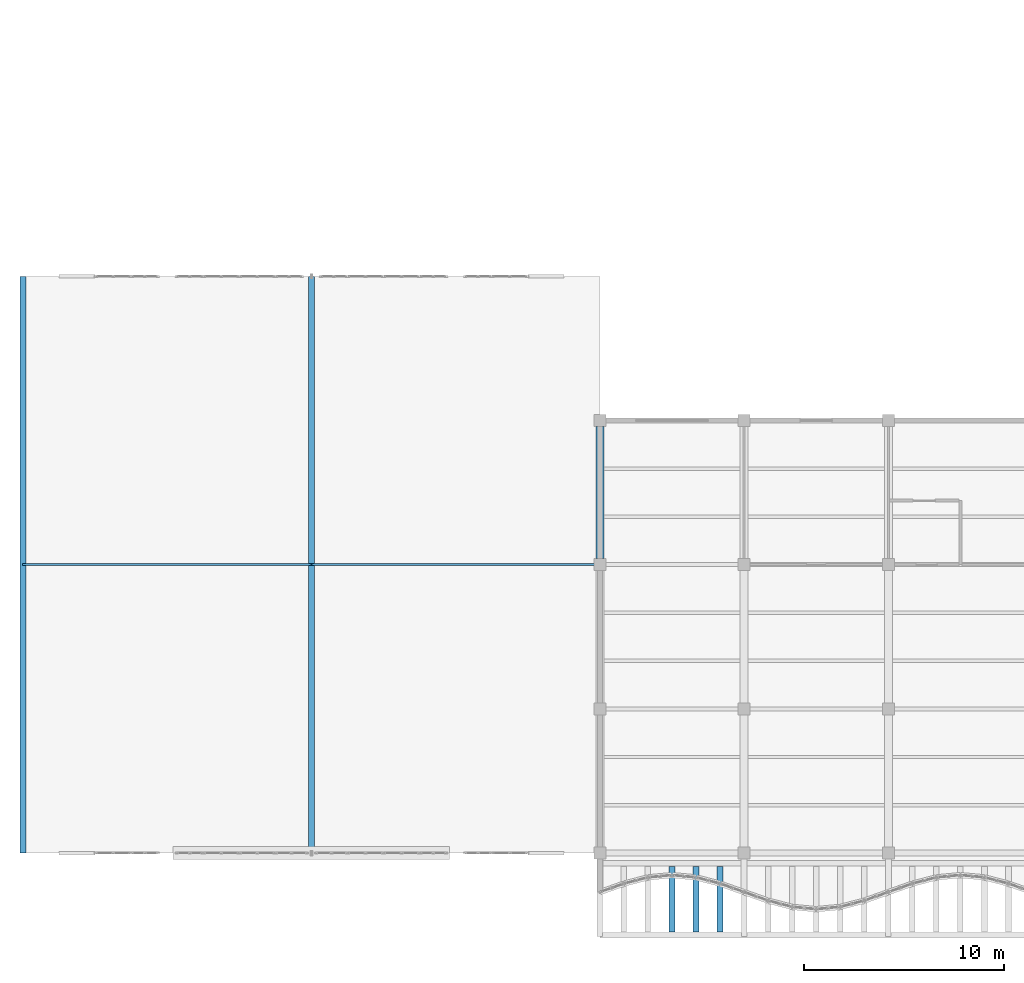
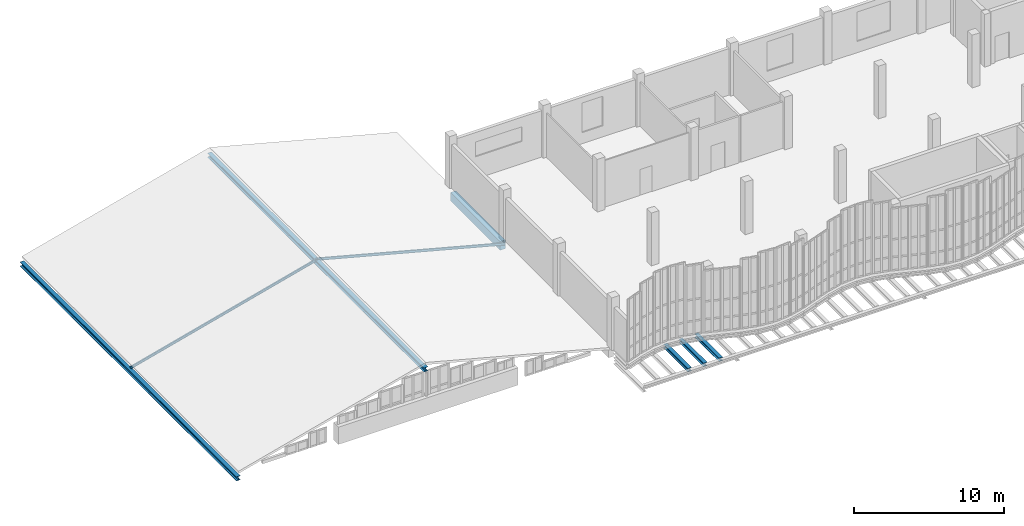
# One storey, part 7 of 76: 6 beams, 2 members.
"""IFC4 building model written with IfcOpenShell, lengths in metres."""

from ifc_helpers import new_model, si_unit, direction, frame, origin, origin_2d, place, context, subcontext, project, spatial, rectangle, i_section, extrude, material, material_profile, profile_set, type_object, element, save


model = new_model("IFC4")

# Units and contexts
model_context = context("Model", 3, precision=1e-05, world=origin(), true_north=direction((0.0, 1.0)))
body_context = subcontext(model_context, "Body", "Model", "MODEL_VIEW")
ifc_project = project(units=[si_unit("LENGTHUNIT", "METRE"), si_unit("AREAUNIT", "SQUARE_METRE"), si_unit("VOLUMEUNIT", "CUBIC_METRE"), si_unit("PLANEANGLEUNIT", "RADIAN"), si_unit("MASSUNIT", "GRAM", prefix="KILO"), si_unit("THERMODYNAMICTEMPERATUREUNIT", "KELVIN"), si_unit("POWERUNIT", "WATT")], contexts=[model_context])

# Site, building, storey
site_placement = place(None, origin())
site = spatial("IfcSite", under=ifc_project, at=site_placement, CompositionType="ELEMENT")
building_placement = place(site_placement, origin())
building = spatial("IfcBuilding", under=site, at=building_placement, Name="Kaldorven Railside Theatre", CompositionType="ELEMENT")
storey_placement = place(building_placement, frame((0.0, 0.0, 14.39990234375)))
storey = spatial("IfcBuildingStorey", under=building, at=storey_placement, Name="L03", CompositionType="ELEMENT", Elevation=14.39990234375)

# Beams
ifc_material_1 = material(Name="Steel S355", Category="steel")
ifc_material_profile_1 = material_profile(ifc_material_1, i_section(OverallWidth=0.280029296875, OverallDepth=0.280029296875, WebThickness=0.010498046875, FlangeThickness=0.01806640625, at=origin_2d()), Name="HEB 280")
ifc_profile_set_1 = profile_set([ifc_material_profile_1], Name="Steel S355")
beam_type_1 = type_object("IfcBeamType", Name="BM-HEB280", PredefinedType="SPANDREL", material=ifc_profile_set_1)
for number, where, z_axis, x_axis, name in (
    (1, (40.39990234375, 15.260009765625, -0.699951171875), (0.0, 1.0, 0.0), (-1.0, 0.0, 0.0), "L03 Sinusoidal Diaphragm Rib Outrigger FOB-M148"),
    (2, (41.60009765625, 15.260009765625, -0.699951171875), (0.0, 1.0, 0.0), (-1.0, 0.0, 0.0), "L03 Sinusoidal Diaphragm Rib Outrigger FOB-M149"),
    (3, (42.800048828125, 15.260009765625, -0.699951171875), (0.0, 1.0, 0.0), (-1.0, 0.0, 0.0), "L03 Sinusoidal Diaphragm Rib Outrigger FOB-M150"),
):
    element("IfcBeam", number, at=place(storey_placement, frame(where, z_axis=z_axis, x_axis=x_axis)), inside=storey, type_object=beam_type_1, Name=name, PredefinedType="SPANDREL", context=body_context, shape_type="SweptSolid", body=[
        extrude(i_section(OverallWidth=0.280029296875, OverallDepth=0.280029296875, WebThickness=0.010498046875, FlangeThickness=0.01806640625, at=origin_2d()), origin(), (0.0, 0.0, 1.0), 3.280029296875),
    ])
ifc_material_profile_2 = material_profile(ifc_material_1, i_section(OverallWidth=0.300048828125, OverallDepth=0.340087890625, WebThickness=0.011962890625, FlangeThickness=0.021484375, at=origin_2d()), Name="HEB 340")
ifc_profile_set_2 = profile_set([ifc_material_profile_2], Name="Steel S355")
beam_type_2 = type_object("IfcBeamType", Name="BM-HEB340", PredefinedType="SPANDREL", material=ifc_profile_set_2)
for number, where, z_axis, x_axis, name in (
    (4, (8.0, 19.199951171875, -0.57421875), (0.0, 1.0, 0.0), (-1.0, 0.0, 0.0), "Studio Pitched Roof Gable Rafter RAF-159"),
    (5, (22.39990234375, 19.199951171875, 3.225830078125), (0.0, 1.0, 0.0), (-1.0, 0.0, 0.0), "Studio Pitched Roof Gable Rafter RAF-160"),
):
    element("IfcBeam", number, at=place(storey_placement, frame(where, z_axis=z_axis, x_axis=x_axis)), inside=storey, type_object=beam_type_2, Name=name, PredefinedType="SPANDREL", context=body_context, shape_type="SweptSolid", body=[
        extrude(i_section(OverallWidth=0.300048828125, OverallDepth=0.340087890625, WebThickness=0.011962890625, FlangeThickness=0.021484375, at=origin_2d()), origin(), (0.0, 0.0, 1.0), 28.800048828125),
    ])
ifc_material_2 = material(Name="Concrete C40/50", Category="concrete")
ifc_material_profile_3 = material_profile(ifc_material_2, rectangle(XDim=0.39990234375, YDim=0.699951171875, at=origin_2d()), Name="RC 400x700")
ifc_profile_set_3 = profile_set([ifc_material_profile_3], Name="Concrete C40/50")
beam_type_3 = type_object("IfcBeamType", Name="BM-RC400x700", PredefinedType="BEAM", material=ifc_profile_set_3)
beam_placement = place(storey_placement, frame((36.800048828125, 33.89990234375, -0.6298828125), z_axis=(0.0, 1.0, 0.0), x_axis=(-1.0, 0.0, 0.0)))
element("IfcBeam", 6, at=beam_placement, inside=storey, type_object=beam_type_3, Name="L03 Girder BGY-L03-036-033-72", PredefinedType="BEAM", context=body_context, shape_type="SweptSolid", body=[
    extrude(rectangle(XDim=0.39990234375, YDim=0.699951171875, at=origin_2d()), origin(), (0.0, 0.0, 1.0), 6.60009765625),
])

# Members
ifc_material_profile_4 = material_profile(ifc_material_1, i_section(OverallWidth=0.10009765625, OverallDepth=0.199951171875, WebThickness=0.005615234375, FlangeThickness=0.008544921875, at=origin_2d()), Name="IPE 200")
ifc_profile_set_4 = profile_set([ifc_material_profile_4], Name="Steel S355")
member_type = type_object("IfcMemberType", Name="MEM-IPE200", PredefinedType="PURLIN", material=ifc_profile_set_4)
member_1_placement = place(storey_placement, frame((8.0, 33.60009765625, -0.3310546875), z_axis=(0.966899122571, 0.0, 0.255158944132), x_axis=(0.0, 1.0, 0.0)))
element("IfcMember", 7, at=member_1_placement, inside=storey, type_object=member_type, Name="Studio Pitched Roof Purlin PRL-057", PredefinedType="PURLIN", context=body_context, shape_type="SweptSolid", body=[
    extrude(i_section(OverallWidth=0.10009765625, OverallDepth=0.199951171875, WebThickness=0.005615234375, FlangeThickness=0.008544921875, at=origin_2d()), origin(), (0.0, 0.0, 1.0), 14.892822265625),
])
member_2_placement = place(storey_placement, frame((22.39990234375, 33.60009765625, 3.468994140625), z_axis=(0.966900189838, 0.0, -0.255154899799), x_axis=(0.0, 1.0, 0.0)))
element("IfcMember", 8, at=member_2_placement, inside=storey, type_object=member_type, Name="Studio Pitched Roof Purlin PRL-058", PredefinedType="PURLIN", context=body_context, shape_type="SweptSolid", body=[
    extrude(i_section(OverallWidth=0.10009765625, OverallDepth=0.199951171875, WebThickness=0.005615234375, FlangeThickness=0.008544921875, at=origin_2d()), origin(), (0.0, 0.0, 1.0), 14.89306640625),
])

save(model, "model.ifc")
